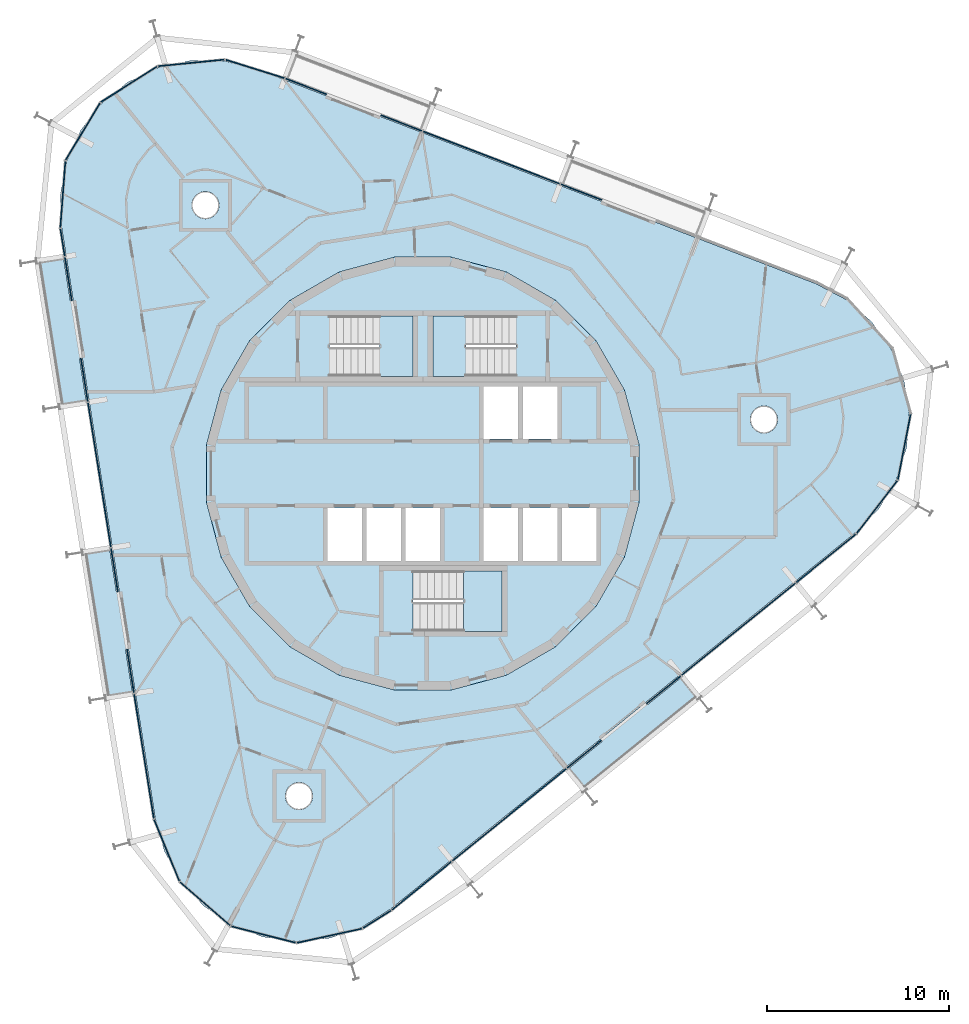
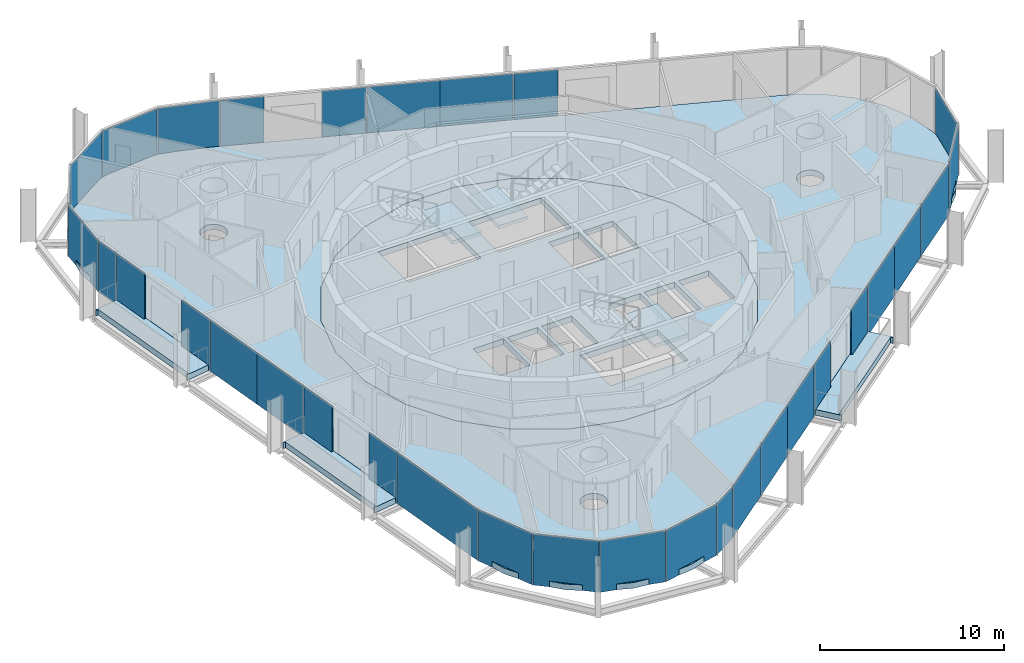
# One storey, part 10 of 18: 33 plates, 8 slabs, 9 elements without a shape of their own.
"""IFC4 building model written with IfcOpenShell, lengths in metres."""

from ifc_helpers import new_model, si_unit, direction, frame, origin, origin_2d, place, context, subcontext, project, spatial, polyline, rectangle, outline, extrude, material, layer, layer_set, type_object, element, aggregate, save


model = new_model("IFC4")

# Units and contexts
model_context = context("Model", 3, precision=1e-05, world=origin(), true_north=direction((0.0, 1.0)))
body_context = subcontext(model_context, "Body", "Model", "MODEL_VIEW")
ifc_project = project(units=[si_unit("LENGTHUNIT", "METRE"), si_unit("AREAUNIT", "SQUARE_METRE"), si_unit("VOLUMEUNIT", "CUBIC_METRE"), si_unit("PLANEANGLEUNIT", "RADIAN"), si_unit("MASSUNIT", "GRAM", prefix="KILO")], contexts=[model_context])

# Site, building, storey
site_placement = place(None, origin())
site = spatial("IfcSite", under=ifc_project, at=site_placement, CompositionType="ELEMENT")
building_placement = place(site_placement, origin())
building = spatial("IfcBuilding", under=site, at=building_placement, Name="Spindle Arch Residences", CompositionType="ELEMENT")
storey_placement = place(building_placement, frame((0.0, 0.0, 273.89990234375)))
storey = spatial("IfcBuildingStorey", under=building, at=storey_placement, Name="L70", CompositionType="ELEMENT", Elevation=273.89990234375)

# Slabs
ifc_material_1 = material(Name="Concrete C40/50", Category="concrete")
ifc_layer_1 = layer(ifc_material_1, 0.3798828125)
ifc_layer_set_1 = layer_set([ifc_layer_1], Name="Balcony slab 380")
slab_type_1 = type_object("IfcSlabType", Name="Balcony slab 380", PredefinedType="FLOOR", material=ifc_layer_set_1)
slab_1_placement = place(storey_placement, frame((0.0, 0.0, -0.3798828125)))
element("IfcSlab", 1, at=slab_1_placement, inside=storey, type_object=slab_type_1, Name="Balcony L70 bay 12", PredefinedType="FLOOR", context=body_context, shape_type="SweptSolid", body=[
    extrude(outline(polyline([(-21.224365234375, 11.611572265625), (-21.212646484375, 11.53759765625), (-21.064453125, 11.56103515625), (-19.843017578125, 3.849609375), (-19.9912109375, 3.826171875), (-19.9794921875, 3.751953125), (-18.5078125, 3.985107421875), (-18.8798828125, 6.334716796875), (-18.721923828125, 6.359619140625), (-19.22265625, 9.520263671875), (-19.380615234375, 9.4951171875), (-19.752685546875, 11.8447265625), (-21.224365234375, 11.611572265625)])), origin(), (0.0, 0.0, 1.0), 0.3798828125),
])
slab_2_placement = place(storey_placement, frame((0.0, 0.0, -0.3798828125)))
element("IfcSlab", 2, at=slab_2_placement, inside=storey, type_object=slab_type_1, Name="Balcony L70 bay 14", PredefinedType="FLOOR", context=body_context, shape_type="SweptSolid", body=[
    extrude(outline(polyline([(-18.687744140625, -4.40380859375), (-18.676025390625, -4.47802734375), (-18.52783203125, -4.45458984375), (-17.306396484375, -12.166015625), (-17.45458984375, -12.189453125), (-17.44287109375, -12.263427734375), (-15.97119140625, -12.030517578125), (-16.343505859375, -9.680908203125), (-16.185302734375, -9.656005859375), (-16.68603515625, -6.495361328125), (-16.843994140625, -6.520263671875), (-17.216064453125, -4.1708984375), (-18.687744140625, -4.40380859375)])), origin(), (0.0, 0.0, 1.0), 0.3798828125),
])
slab_3_placement = place(storey_placement, frame((0.0, 0.0, -0.3798828125)))
element("IfcSlab", 3, at=slab_3_placement, inside=storey, type_object=slab_type_1, Name="Balcony L70 bay 20", PredefinedType="FLOOR", context=body_context, shape_type="SweptSolid", body=[
    extrude(outline(polyline([(8.957275390625, -17.383544921875), (9.015625, -17.33642578125), (8.921142578125, -17.219970703125), (14.98876953125, -12.306396484375), (15.083251953125, -12.4228515625), (15.141357421875, -12.375732421875), (14.203857421875, -11.2177734375), (12.35498046875, -12.71484375), (12.25439453125, -12.590576171875), (9.767578125, -14.604248046875), (9.8681640625, -14.728759765625), (8.01953125, -16.2255859375), (8.957275390625, -17.383544921875)])), origin(), (0.0, 0.0, 1.0), 0.3798828125),
])
ifc_material_2 = material(Name="Concrete C50/60", Category="concrete")
ifc_layer_2 = layer(ifc_material_2, 0.3798828125)
ifc_layer_set_2 = layer_set([ifc_layer_2], Name="Core floor slab 380")
slab_type_2 = type_object("IfcSlabType", Name="Core floor slab 380", PredefinedType="FLOOR", material=ifc_layer_set_2)
slab_4_placement = place(storey_placement, frame((0.0, 0.0, -0.3798828125)))
element("IfcSlab", 4, at=slab_4_placement, inside=storey, type_object=slab_type_2, Name="Core floor L70", PredefinedType="FLOOR", context=body_context, shape_type="SweptSolid", body=[
    extrude(outline(polyline([(1.56640625, -11.897216796875), (4.59228515625, -11.086669921875), (7.30517578125, -9.520263671875), (9.520263671875, -7.30517578125), (11.086669921875, -4.59228515625), (11.897216796875, -1.56640625), (11.897216796875, 1.56640625), (11.086669921875, 4.59228515625), (9.520263671875, 7.30517578125), (7.30517578125, 9.520263671875), (4.59228515625, 11.086669921875), (1.56640625, 11.897216796875), (-1.56640625, 11.897216796875), (-4.59228515625, 11.086669921875), (-7.30517578125, 9.520263671875), (-9.520263671875, 7.30517578125), (-11.086669921875, 4.59228515625), (-11.897216796875, 1.56640625), (-11.897216796875, -1.56640625), (-11.086669921875, -4.59228515625), (-9.520263671875, -7.30517578125), (-7.30517578125, -9.520263671875), (-4.59228515625, -11.086669921875), (-1.56640625, -11.897216796875), (1.56640625, -11.897216796875)]), holes=[polyline([(3.35009765625, 1.89990234375), (5.25, 1.89990234375), (5.25, 4.800048828125), (3.35009765625, 4.800048828125), (3.35009765625, 1.89990234375)]), polyline([(5.5, 1.89990234375), (7.39990234375, 1.89990234375), (7.39990234375, 4.800048828125), (5.5, 4.800048828125), (5.5, 1.89990234375)]), polyline([(-5.25, -4.800048828125), (-3.35009765625, -4.800048828125), (-3.35009765625, -1.89990234375), (-5.25, -1.89990234375), (-5.25, -4.800048828125)]), polyline([(-3.10009765625, -4.800048828125), (-1.199951171875, -4.800048828125), (-1.199951171875, -1.89990234375), (-3.10009765625, -1.89990234375), (-3.10009765625, -4.800048828125)]), polyline([(-0.949951171875, -4.800048828125), (0.949951171875, -4.800048828125), (0.949951171875, -1.89990234375), (-0.949951171875, -1.89990234375), (-0.949951171875, -4.800048828125)]), polyline([(3.35009765625, -4.800048828125), (5.25, -4.800048828125), (5.25, -1.89990234375), (3.35009765625, -1.89990234375), (3.35009765625, -4.800048828125)]), polyline([(5.5, -4.800048828125), (7.39990234375, -4.800048828125), (7.39990234375, -1.89990234375), (5.5, -1.89990234375), (5.5, -4.800048828125)]), polyline([(7.64990234375, -4.800048828125), (9.550048828125, -4.800048828125), (9.550048828125, -1.89990234375), (7.64990234375, -1.89990234375), (7.64990234375, -4.800048828125)]), polyline([(5.1298828125, 8.669921875), (0.550048828125, 8.669921875), (0.550048828125, 5.35009765625), (5.1298828125, 5.35009765625), (5.1298828125, 8.669921875)]), polyline([(-5.1298828125, 5.35009765625), (-0.550048828125, 5.35009765625), (-0.550048828125, 8.669921875), (-5.1298828125, 8.669921875), (-5.1298828125, 5.35009765625)]), polyline([(-0.530029296875, -8.669921875), (4.35009765625, -8.669921875), (4.35009765625, -5.35009765625), (-0.530029296875, -5.35009765625), (-0.530029296875, -8.669921875)])]), origin(), (0.0, 0.0, 1.0), 0.3798828125),
])

# Stair, slab
ifc_material_3 = material(Name="Concrete C50/60", Category="concrete")
stair_type = type_object("IfcStairType", Name="Exit stair 16 risers", PredefinedType="HALF_TURN_STAIR", material=ifc_material_3)
stair_1_placement = place(storey_placement, origin())
stair_1 = element("IfcStair", 5, at=stair_1_placement, inside=storey, type_object=stair_type, Name="L70 Exit stair ST1", PredefinedType="HALF_TURN_STAIR")
ifc_material_4 = material(Name="Concrete C50/60", Category="concrete")
ifc_layer_3 = layer(ifc_material_4, 0.219970703125)
ifc_layer_set_3 = layer_set([ifc_layer_3], Name="Exit stair landing 220")
slab_type_3 = type_object("IfcSlabType", Name="Exit stair landing 220", PredefinedType="LANDING", material=ifc_layer_set_3)
slab_5_placement = place(storey_placement, frame((0.0, 0.0, 1.530029296875)))
slab_5 = element("IfcSlab", 6, at=slab_5_placement, type_object=slab_type_3, Name="ST1 landing 1", PredefinedType="LANDING", context=body_context, shape_type="SweptSolid", body=[
    extrude(outline(polyline([(2.3701171875, 8.669921875), (0.550048828125, 8.669921875), (0.550048828125, 5.35009765625), (2.3701171875, 5.35009765625), (2.3701171875, 8.669921875)])), origin(), (0.0, 0.0, 1.0), 0.219970703125),
])
aggregate(stair_1, [slab_5])

stair_2_placement = place(storey_placement, origin())
stair_2 = element("IfcStair", 7, at=stair_2_placement, inside=storey, type_object=stair_type, Name="L70 Exit stair ST2", PredefinedType="HALF_TURN_STAIR")
slab_6_placement = place(storey_placement, frame((0.0, 0.0, 1.530029296875)))
slab_6 = element("IfcSlab", 8, at=slab_6_placement, type_object=slab_type_3, Name="ST2 landing 1", PredefinedType="LANDING", context=body_context, shape_type="SweptSolid", body=[
    extrude(outline(polyline([(-2.3701171875, 5.35009765625), (-0.550048828125, 5.35009765625), (-0.550048828125, 8.669921875), (-2.3701171875, 8.669921875), (-2.3701171875, 5.35009765625)])), origin(), (0.0, 0.0, 1.0), 0.219970703125),
])
aggregate(stair_2, [slab_6])

stair_3_placement = place(storey_placement, origin())
stair_3 = element("IfcStair", 9, at=stair_3_placement, inside=storey, type_object=stair_type, Name="L70 Exit stair ST3", PredefinedType="HALF_TURN_STAIR")
slab_7_placement = place(storey_placement, frame((0.0, 0.0, 1.530029296875)))
slab_7 = element("IfcSlab", 10, at=slab_7_placement, type_object=slab_type_3, Name="ST3 landing 1", PredefinedType="LANDING", context=body_context, shape_type="SweptSolid", body=[
    extrude(outline(polyline([(2.22998046875, -8.669921875), (4.35009765625, -8.669921875), (4.35009765625, -5.35009765625), (2.22998046875, -5.35009765625), (2.22998046875, -8.669921875)])), origin(), (0.0, 0.0, 1.0), 0.219970703125),
])
aggregate(stair_3, [slab_7])

# Slab
ifc_material_5 = material(Name="Concrete C40/50", Category="concrete")
ifc_layer_4 = layer(ifc_material_5, 0.3798828125)
ifc_layer_set_4 = layer_set([ifc_layer_4], Name="Floor slab 380")
slab_type_4 = type_object("IfcSlabType", Name="Floor slab 380", PredefinedType="FLOOR", material=ifc_layer_set_4)
slab_8_placement = place(storey_placement, frame((0.0, 0.0, -0.3798828125)))
element("IfcSlab", 11, at=slab_8_placement, inside=storey, type_object=slab_type_4, Name="Floor slab L70", PredefinedType="FLOOR", context=body_context, shape_type="SweptSolid", body=[
    extrude(outline(polyline([(-3.341552734375, -24.9423828125), (-5.097900390625, -25.547119140625), (-6.9462890625, -25.73046875), (-8.787109375, -25.482666015625), (-10.521240234375, -24.81689453125), (-12.054931640625, -23.769287109375), (-13.305908203125, -22.396240234375), (-14.20654296875, -20.771484375), (-14.7080078125, -18.983154296875), (-19.854248046875, 13.509033203125), (-19.929931640625, 15.364990234375), (-19.575439453125, 17.188232421875), (-18.81005859375, 18.880859375), (-17.675048828125, 20.35107421875), (-16.231689453125, 21.52001953125), (-14.557373046875, 22.32470703125), (-12.74267578125, 22.721435546875), (-10.885498046875, 22.68896484375), (-9.0859375, 22.22900390625), (21.626220703125, 10.439697265625), (23.271484375, 9.577392578125), (24.67333984375, 8.358642578125), (25.75634765625, 6.849609375), (26.462158203125, 5.131591796875), (26.752685546875, 3.296875), (26.6123046875, 1.444580078125), (26.048583984375, -0.3251953125), (25.092041015625, -1.917236328125), (23.7939453125, -3.24609375), (11.010986328125, -13.597412109375), (-1.77197265625, -23.94873046875), (-3.341552734375, -24.9423828125)]), holes=[polyline([(7.30517578125, -9.520263671875), (9.520263671875, -7.30517578125), (11.086669921875, -4.59228515625), (11.897216796875, -1.56640625), (11.897216796875, 1.56640625), (11.086669921875, 4.59228515625), (9.520263671875, 7.30517578125), (7.30517578125, 9.520263671875), (4.59228515625, 11.086669921875), (1.56640625, 11.897216796875), (-1.56640625, 11.897216796875), (-4.59228515625, 11.086669921875), (-7.30517578125, 9.520263671875), (-9.520263671875, 7.30517578125), (-11.086669921875, 4.59228515625), (-11.897216796875, 1.56640625), (-11.897216796875, -1.56640625), (-11.086669921875, -4.59228515625), (-9.520263671875, -7.30517578125), (-7.30517578125, -9.520263671875), (-4.59228515625, -11.086669921875), (-1.56640625, -11.897216796875), (1.56640625, -11.897216796875), (4.59228515625, -11.086669921875), (7.30517578125, -9.520263671875)]), polyline([(-6.2763671875, -18.261962890625), (-6.18310546875, -18.1484375), (-6.11376953125, -18.018798828125), (-6.071044921875, -17.8779296875), (-6.056640625, -17.731689453125), (-6.071044921875, -17.58544921875), (-6.11376953125, -17.444580078125), (-6.18310546875, -17.31494140625), (-6.2763671875, -17.201416015625), (-6.389892578125, -17.108154296875), (-6.51953125, -17.038818359375), (-6.660400390625, -16.99609375), (-6.806640625, -16.981689453125), (-6.952880859375, -16.99609375), (-7.093505859375, -17.038818359375), (-7.223388671875, -17.108154296875), (-7.3369140625, -17.201416015625), (-7.43017578125, -17.31494140625), (-7.49951171875, -17.444580078125), (-7.542236328125, -17.58544921875), (-7.556640625, -17.731689453125), (-7.542236328125, -17.8779296875), (-7.49951171875, -18.018798828125), (-7.43017578125, -18.1484375), (-7.3369140625, -18.261962890625), (-7.223388671875, -18.355224609375), (-7.093505859375, -18.424560546875), (-6.952880859375, -18.46728515625), (-6.806640625, -18.481689453125), (-6.660400390625, -18.46728515625), (-6.51953125, -18.424560546875), (-6.389892578125, -18.355224609375), (-6.2763671875, -18.261962890625)]), polyline([(-11.3291015625, 14.34375), (-11.260009765625, 14.473388671875), (-11.21728515625, 14.6142578125), (-11.202880859375, 14.760498046875), (-11.21728515625, 14.90673828125), (-11.260009765625, 15.047607421875), (-11.3291015625, 15.17724609375), (-11.422607421875, 15.290771484375), (-11.5361328125, 15.384033203125), (-11.665771484375, 15.453369140625), (-11.806396484375, 15.49609375), (-11.952880859375, 15.510498046875), (-12.09912109375, 15.49609375), (-12.23974609375, 15.453369140625), (-12.369384765625, 15.384033203125), (-12.483154296875, 15.290771484375), (-12.576416015625, 15.17724609375), (-12.645751953125, 15.047607421875), (-12.6884765625, 14.90673828125), (-12.702880859375, 14.760498046875), (-12.6884765625, 14.6142578125), (-12.645751953125, 14.473388671875), (-12.576416015625, 14.34375), (-12.483154296875, 14.230224609375), (-12.369384765625, 14.136962890625), (-12.23974609375, 14.067626953125), (-12.09912109375, 14.02490234375), (-11.952880859375, 14.010498046875), (-11.806396484375, 14.02490234375), (-11.665771484375, 14.067626953125), (-11.5361328125, 14.136962890625), (-11.422607421875, 14.230224609375), (-11.3291015625, 14.34375)]), polyline([(19.383056640625, 2.554443359375), (19.452392578125, 2.68408203125), (19.4951171875, 2.824951171875), (19.509521484375, 2.97119140625), (19.4951171875, 3.117431640625), (19.452392578125, 3.25830078125), (19.383056640625, 3.387939453125), (19.289794921875, 3.50146484375), (19.176025390625, 3.5947265625), (19.04638671875, 3.6640625), (18.90576171875, 3.706787109375), (18.759521484375, 3.72119140625), (18.613037109375, 3.706787109375), (18.472412109375, 3.6640625), (18.3427734375, 3.5947265625), (18.22900390625, 3.50146484375), (18.1357421875, 3.387939453125), (18.06640625, 3.25830078125), (18.023681640625, 3.117431640625), (18.009521484375, 2.97119140625), (18.023681640625, 2.824951171875), (18.06640625, 2.68408203125), (18.1357421875, 2.554443359375), (18.22900390625, 2.44091796875), (18.3427734375, 2.34765625), (18.472412109375, 2.2783203125), (18.613037109375, 2.235595703125), (18.759521484375, 2.22119140625), (18.90576171875, 2.235595703125), (19.04638671875, 2.2783203125), (19.176025390625, 2.34765625), (19.289794921875, 2.44091796875), (19.383056640625, 2.554443359375)])]), origin(), (0.0, 0.0, 1.0), 0.3798828125),
])

# Curtain wall, plates
ifc_material_6 = material(Name="Aluminium bronze unitised frame with tinted glass", Category="aluminium")
ifc_layer_5 = layer(ifc_material_6, 0.159912109375)
ifc_layer_set_5 = layer_set([ifc_layer_5], Name="CW-D corner wall on the fillet arcs")
curtain_wall_type_1 = type_object("IfcCurtainWallType", Name="CW-D corner wall on the fillet arcs", PredefinedType="NOTDEFINED", material=ifc_layer_set_5)
curtain_wall_1_placement = place(storey_placement, origin())
curtain_wall_1 = element("IfcCurtainWall", 12, at=curtain_wall_1_placement, inside=storey, type_object=curtain_wall_type_1, Name="CW-D L70 run 1", PredefinedType="NOTDEFINED")
ifc_material_7 = material(Name="Tinted double glazing over aluminium faced non-combustible spandrel zone (K0)", Category="aluminium")
ifc_layer_6 = layer(ifc_material_7, 0.06005859375)
ifc_layer_set_6 = layer_set([ifc_layer_6], Name="Unitised glass panel with E 60 spandrel zone")
plate_type = type_object("IfcPlateType", Name="Unitised glass panel with E 60 spandrel zone", PredefinedType="CURTAIN_PANEL", material=ifc_layer_set_6)
plate_1_placement = place(storey_placement, frame((22.178466796875, -4.6572265625, -0.3798828125), z_axis=(0.0, 0.0, 1.0), x_axis=(0.777145961457, 0.62932039105, 0.0)))
plate_1 = element("IfcPlate", 13, at=plate_1_placement, type_object=plate_type, Name="CW-D unit 00", PredefinedType="CURTAIN_PANEL", context=body_context, shape_type="SweptSolid", body=[
    extrude(rectangle(XDim=4.227294921875, YDim=0.06005859375, at=origin_2d()), origin(), (0.0, 0.0, 1.0), 3.3798828125),
])
plate_2_placement = place(storey_placement, frame((24.98291015625, -1.833251953125, -0.3798828125), z_axis=(0.0, 0.0, 1.0), x_axis=(0.611066622764, 0.791579170105, 0.0)))
plate_2 = element("IfcPlate", 14, at=plate_2_placement, type_object=plate_type, Name="CW-D unit 01", PredefinedType="CURTAIN_PANEL", context=body_context, shape_type="SweptSolid", body=[
    extrude(rectangle(XDim=3.666748046875, YDim=0.06005859375, at=origin_2d()), origin(), (0.0, 0.0, 1.0), 3.3798828125),
])
plate_3_placement = place(storey_placement, frame((26.47705078125, 1.470947265625, -0.3798828125), z_axis=(0.0, 0.0, 1.0), x_axis=(0.190808994811, 0.981627183558, 0.0)))
plate_3 = element("IfcPlate", 15, at=plate_3_placement, type_object=plate_type, Name="CW-D unit 02", PredefinedType="CURTAIN_PANEL", context=body_context, shape_type="SweptSolid", body=[
    extrude(rectangle(XDim=3.666748046875, YDim=0.06005859375, at=origin_2d()), origin(), (0.0, 0.0, 1.0), 3.3798828125),
])
aggregate(curtain_wall_1, [plate_1, plate_2, plate_3])

ifc_material_8 = material(Name="Aluminium bronze unitised frame with tinted glass", Category="aluminium")
ifc_layer_7 = layer(ifc_material_8, 0.159912109375)
ifc_layer_set_7 = layer_set([ifc_layer_7], Name="CW-C typical residential unitised wall")
curtain_wall_type_2 = type_object("IfcCurtainWallType", Name="CW-C typical residential unitised wall", PredefinedType="NOTDEFINED", material=ifc_layer_set_7)
curtain_wall_2_placement = place(storey_placement, origin())
curtain_wall_2 = element("IfcCurtainWall", 16, at=curtain_wall_2_placement, inside=storey, type_object=curtain_wall_type_2, Name="CW-C L70 run 2", PredefinedType="NOTDEFINED")
plate_4_placement = place(storey_placement, frame((8.7197265625, 15.47998046875, -0.3798828125), z_axis=(0.0, 0.0, 1.0), x_axis=(-0.933580426497, 0.358367949545, 0.0)))
plate_4 = element("IfcPlate", 17, at=plate_4_placement, type_object=plate_type, Name="CW-C unit 05R", PredefinedType="CURTAIN_PANEL", context=body_context, shape_type="SweptSolid", body=[
    extrude(rectangle(XDim=2.423828125, YDim=0.06005859375, at=origin_2d()), origin(), (0.0, 0.0, 1.0), 3.3798828125),
])
plate_5_placement = place(storey_placement, frame((5.654052734375, 16.65673828125, -0.3798828125), z_axis=(0.0, 0.0, 1.0), x_axis=(-0.933580426497, 0.358367949545, 0.0)))
plate_5 = element("IfcPlate", 18, at=plate_5_placement, type_object=plate_type, Name="CW-C unit 06A", PredefinedType="CURTAIN_PANEL", context=body_context, shape_type="SweptSolid", body=[
    extrude(rectangle(XDim=4.023681640625, YDim=0.06005859375, at=origin_2d()), origin(), (0.0, 0.0, 1.0), 3.3798828125),
])
plate_6_placement = place(storey_placement, frame((1.897705078125, 18.0986328125, -0.3798828125), z_axis=(0.0, 0.0, 1.0), x_axis=(-0.933580426497, 0.358367949545, 0.0)))
plate_6 = element("IfcPlate", 19, at=plate_6_placement, type_object=plate_type, Name="CW-C unit 06B", PredefinedType="CURTAIN_PANEL", context=body_context, shape_type="SweptSolid", body=[
    extrude(rectangle(XDim=4.023681640625, YDim=0.06005859375, at=origin_2d()), origin(), (0.0, 0.0, 1.0), 3.3798828125),
])
plate_7_placement = place(storey_placement, frame((-1.16796875, 19.275390625, -0.3798828125), z_axis=(0.0, 0.0, 1.0), x_axis=(-0.933580426497, 0.358367949545, 0.0)))
plate_7 = element("IfcPlate", 20, at=plate_7_placement, type_object=plate_type, Name="CW-C unit 07L", PredefinedType="CURTAIN_PANEL", context=body_context, shape_type="SweptSolid", body=[
    extrude(rectangle(XDim=2.423828125, YDim=0.06005859375, at=origin_2d()), origin(), (0.0, 0.0, 1.0), 3.3798828125),
])
plate_8_placement = place(storey_placement, frame((-6.41845703125, 21.290771484375, -0.3798828125), z_axis=(0.0, 0.0, 1.0), x_axis=(-0.933580426497, 0.358367949545, 0.0)))
plate_8 = element("IfcPlate", 21, at=plate_8_placement, type_object=plate_type, Name="CW-C unit 07R", PredefinedType="CURTAIN_PANEL", context=body_context, shape_type="SweptSolid", body=[
    extrude(rectangle(XDim=2.423828125, YDim=0.06005859375, at=origin_2d()), origin(), (0.0, 0.0, 1.0), 3.3798828125),
])
aggregate(curtain_wall_2, [plate_4, plate_5, plate_6, plate_7, plate_8])

curtain_wall_3_placement = place(storey_placement, origin())
curtain_wall_3 = element("IfcCurtainWall", 22, at=curtain_wall_3_placement, inside=storey, type_object=curtain_wall_type_1, Name="CW-D L70 run 3", PredefinedType="NOTDEFINED")
plate_9_placement = place(storey_placement, frame((-9.226318359375, 22.252197265625, -0.3798828125), z_axis=(0.0, 0.0, 1.0), x_axis=(-0.954314920262, 0.298802665594, 0.0)))
plate_9 = element("IfcPlate", 23, at=plate_9_placement, type_object=plate_type, Name="CW-D unit 00", PredefinedType="CURTAIN_PANEL", context=body_context, shape_type="SweptSolid", body=[
    extrude(rectangle(XDim=3.39501953125, YDim=0.06005859375, at=origin_2d()), origin(), (0.0, 0.0, 1.0), 3.3798828125),
])
plate_10_placement = place(storey_placement, frame((-12.729248046875, 22.584228515625, -0.3798828125), z_axis=(0.0, 0.0, 1.0), x_axis=(-0.995113183485, -0.098740832762, 0.0)))
plate_10 = element("IfcPlate", 24, at=plate_10_placement, type_object=plate_type, Name="CW-D unit 01", PredefinedType="CURTAIN_PANEL", context=body_context, shape_type="SweptSolid", body=[
    extrude(rectangle(XDim=3.666748046875, YDim=0.06005859375, at=origin_2d()), origin(), (0.0, 0.0, 1.0), 3.3798828125),
])
plate_11_placement = place(storey_placement, frame((-16.157958984375, 21.403564453125, -0.3798828125), z_axis=(0.0, 0.0, 1.0), x_axis=(-0.844950814707, -0.534844015322, 0.0)))
plate_11 = element("IfcPlate", 25, at=plate_11_placement, type_object=plate_type, Name="CW-D unit 02", PredefinedType="CURTAIN_PANEL", context=body_context, shape_type="SweptSolid", body=[
    extrude(rectangle(XDim=3.666748046875, YDim=0.06005859375, at=origin_2d()), origin(), (0.0, 0.0, 1.0), 3.3798828125),
])
plate_12_placement = place(storey_placement, frame((-18.692138671875, 18.809814453125, -0.3798828125), z_axis=(0.0, 0.0, 1.0), x_axis=(-0.515038072875, -0.857167301925, 0.0)))
plate_12 = element("IfcPlate", 26, at=plate_12_placement, type_object=plate_type, Name="CW-D unit 03", PredefinedType="CURTAIN_PANEL", context=body_context, shape_type="SweptSolid", body=[
    extrude(rectangle(XDim=3.666748046875, YDim=0.06005859375, at=origin_2d()), origin(), (0.0, 0.0, 1.0), 3.3798828125),
])
plate_13_placement = place(storey_placement, frame((-19.79248046875, 15.3544921875, -0.3798828125), z_axis=(0.0, 0.0, 1.0), x_axis=(-0.07555884997, -0.997141344139, 0.0)))
plate_13 = element("IfcPlate", 27, at=plate_13_placement, type_object=plate_type, Name="CW-D unit 04", PredefinedType="CURTAIN_PANEL", context=body_context, shape_type="SweptSolid", body=[
    extrude(rectangle(XDim=3.666748046875, YDim=0.06005859375, at=origin_2d()), origin(), (0.0, 0.0, 1.0), 3.3798828125),
])
plate_14_placement = place(storey_placement, frame((-19.809326171875, 12.7138671875, -0.3798828125), z_axis=(0.0, 0.0, 1.0), x_axis=(0.15643446504, -0.987688340595, 0.0)))
plate_14 = element("IfcPlate", 28, at=plate_14_placement, type_object=plate_type, Name="CW-D unit 05", PredefinedType="CURTAIN_PANEL", context=body_context, shape_type="SweptSolid", body=[
    extrude(rectangle(XDim=1.524658203125, YDim=0.06005859375, at=origin_2d()), origin(), (0.0, 0.0, 1.0), 3.3798828125),
])
aggregate(curtain_wall_3, [plate_9, plate_10, plate_11, plate_12, plate_13, plate_14])

curtain_wall_4_placement = place(storey_placement, origin())
curtain_wall_4 = element("IfcCurtainWall", 29, at=curtain_wall_4_placement, inside=storey, type_object=curtain_wall_type_2, Name="CW-C L70 run 4", PredefinedType="NOTDEFINED")
plate_15_placement = place(storey_placement, frame((-19.4912109375, 10.704833984375, -0.3798828125), z_axis=(0.0, 0.0, 1.0), x_axis=(0.15643446504, -0.987688340595, 0.0)))
plate_15 = element("IfcPlate", 30, at=plate_15_placement, type_object=plate_type, Name="CW-C unit 11L", PredefinedType="CURTAIN_PANEL", context=body_context, shape_type="SweptSolid", body=[
    extrude(rectangle(XDim=2.423828125, YDim=0.06005859375, at=origin_2d()), origin(), (0.0, 0.0, 1.0), 3.3798828125),
])
plate_16_placement = place(storey_placement, frame((-18.611328125, 5.150146484375, -0.3798828125), z_axis=(0.0, 0.0, 1.0), x_axis=(0.15643446504, -0.987688340595, 0.0)))
plate_16 = element("IfcPlate", 31, at=plate_16_placement, type_object=plate_type, Name="CW-C unit 11R", PredefinedType="CURTAIN_PANEL", context=body_context, shape_type="SweptSolid", body=[
    extrude(rectangle(XDim=2.423828125, YDim=0.06005859375, at=origin_2d()), origin(), (0.0, 0.0, 1.0), 3.3798828125),
])
plate_17_placement = place(storey_placement, frame((-18.09765625, 1.90673828125, -0.3798828125), z_axis=(0.0, 0.0, 1.0), x_axis=(0.15643446504, -0.987688340595, 0.0)))
plate_17 = element("IfcPlate", 32, at=plate_17_placement, type_object=plate_type, Name="CW-C unit 12A", PredefinedType="CURTAIN_PANEL", context=body_context, shape_type="SweptSolid", body=[
    extrude(rectangle(XDim=4.023681640625, YDim=0.06005859375, at=origin_2d()), origin(), (0.0, 0.0, 1.0), 3.3798828125),
])
plate_18_placement = place(storey_placement, frame((-17.46826171875, -2.0673828125, -0.3798828125), z_axis=(0.0, 0.0, 1.0), x_axis=(0.15643446504, -0.987688340595, 0.0)))
plate_18 = element("IfcPlate", 33, at=plate_18_placement, type_object=plate_type, Name="CW-C unit 12B", PredefinedType="CURTAIN_PANEL", context=body_context, shape_type="SweptSolid", body=[
    extrude(rectangle(XDim=4.023681640625, YDim=0.06005859375, at=origin_2d()), origin(), (0.0, 0.0, 1.0), 3.3798828125),
])
plate_19_placement = place(storey_placement, frame((-16.95458984375, -5.310791015625, -0.3798828125), z_axis=(0.0, 0.0, 1.0), x_axis=(0.15643446504, -0.987688340595, 0.0)))
plate_19 = element("IfcPlate", 34, at=plate_19_placement, type_object=plate_type, Name="CW-C unit 13L", PredefinedType="CURTAIN_PANEL", context=body_context, shape_type="SweptSolid", body=[
    extrude(rectangle(XDim=2.423828125, YDim=0.06005859375, at=origin_2d()), origin(), (0.0, 0.0, 1.0), 3.3798828125),
])
plate_20_placement = place(storey_placement, frame((-16.07470703125, -10.865478515625, -0.3798828125), z_axis=(0.0, 0.0, 1.0), x_axis=(0.15643446504, -0.987688340595, 0.0)))
plate_20 = element("IfcPlate", 35, at=plate_20_placement, type_object=plate_type, Name="CW-C unit 13R", PredefinedType="CURTAIN_PANEL", context=body_context, shape_type="SweptSolid", body=[
    extrude(rectangle(XDim=2.423828125, YDim=0.06005859375, at=origin_2d()), origin(), (0.0, 0.0, 1.0), 3.3798828125),
])
aggregate(curtain_wall_4, [plate_15, plate_16, plate_17, plate_18, plate_19, plate_20])

curtain_wall_5_placement = place(storey_placement, origin())
curtain_wall_5 = element("IfcCurtainWall", 36, at=curtain_wall_5_placement, inside=storey, type_object=curtain_wall_type_1, Name="CW-D L70 run 5", PredefinedType="NOTDEFINED")
plate_21_placement = place(storey_placement, frame((-15.333740234375, -15.5439453125, -0.3798828125), z_axis=(0.0, 0.0, 1.0), x_axis=(0.15643446504, -0.987688340595, 0.0)))
plate_21 = element("IfcPlate", 37, at=plate_21_placement, type_object=plate_type, Name="CW-D unit 00", PredefinedType="CURTAIN_PANEL", context=body_context, shape_type="SweptSolid", body=[
    extrude(rectangle(XDim=6.9296875, YDim=0.06005859375, at=origin_2d()), origin(), (0.0, 0.0, 1.0), 3.3798828125),
])
plate_22_placement = place(storey_placement, frame((-14.0791015625, -20.71923828125, -0.3798828125), z_axis=(0.0, 0.0, 1.0), x_axis=(0.379994360085, -0.92498880334, 0.0)))
plate_22 = element("IfcPlate", 38, at=plate_22_placement, type_object=plate_type, Name="CW-D unit 01", PredefinedType="CURTAIN_PANEL", context=body_context, shape_type="SweptSolid", body=[
    extrude(rectangle(XDim=3.666748046875, YDim=0.06005859375, at=origin_2d()), origin(), (0.0, 0.0, 1.0), 3.3798828125),
])
plate_23_placement = place(storey_placement, frame((-11.964599609375, -23.665283203125, -0.3798828125), z_axis=(0.0, 0.0, 1.0), x_axis=(0.754709583074, -0.656059025711, 0.0)))
plate_23 = element("IfcPlate", 39, at=plate_23_placement, type_object=plate_type, Name="CW-D unit 02", PredefinedType="CURTAIN_PANEL", context=body_context, shape_type="SweptSolid", body=[
    extrude(rectangle(XDim=3.666748046875, YDim=0.06005859375, at=origin_2d()), origin(), (0.0, 0.0, 1.0), 3.3798828125),
])
plate_24_placement = place(storey_placement, frame((-8.7529296875, -25.34912109375, -0.3798828125), z_axis=(0.0, 0.0, 1.0), x_axis=(0.968871869392, -0.247562720743, 0.0)))
plate_24 = element("IfcPlate", 40, at=plate_24_placement, type_object=plate_type, Name="CW-D unit 03", PredefinedType="CURTAIN_PANEL", context=body_context, shape_type="SweptSolid", body=[
    extrude(rectangle(XDim=3.666748046875, YDim=0.06005859375, at=origin_2d()), origin(), (0.0, 0.0, 1.0), 3.3798828125),
])
plate_25_placement = place(storey_placement, frame((-5.127197265625, -25.412353515625, -0.3798828125), z_axis=(0.0, 0.0, 1.0), x_axis=(0.976921473489, 0.213598770213, 0.0)))
plate_25 = element("IfcPlate", 41, at=plate_25_placement, type_object=plate_type, Name="CW-D unit 04", PredefinedType="CURTAIN_PANEL", context=body_context, shape_type="SweptSolid", body=[
    extrude(rectangle(XDim=3.666748046875, YDim=0.06005859375, at=origin_2d()), origin(), (0.0, 0.0, 1.0), 3.3798828125),
])
plate_26_placement = place(storey_placement, frame((-2.51416015625, -24.5126953125, -0.3798828125), z_axis=(0.0, 0.0, 1.0), x_axis=(0.844950816658, 0.53484401224, 0.0)))
plate_26 = element("IfcPlate", 42, at=plate_26_placement, type_object=plate_type, Name="CW-D unit 05", PredefinedType="CURTAIN_PANEL", context=body_context, shape_type="SweptSolid", body=[
    extrude(rectangle(XDim=1.816162109375, YDim=0.06005859375, at=origin_2d()), origin(), (0.0, 0.0, 1.0), 3.3798828125),
])
plate_27_placement = place(storey_placement, frame((-0.0556640625, -22.662109375, -0.3798828125), z_axis=(0.0, 0.0, 1.0), x_axis=(0.777145961457, 0.62932039105, 0.0)))
plate_27 = element("IfcPlate", 43, at=plate_27_placement, type_object=plate_type, Name="CW-D unit 06", PredefinedType="CURTAIN_PANEL", context=body_context, shape_type="SweptSolid", body=[
    extrude(rectangle(XDim=4.227294921875, YDim=0.06005859375, at=origin_2d()), origin(), (0.0, 0.0, 1.0), 3.3798828125),
])
aggregate(curtain_wall_5, [plate_21, plate_22, plate_23, plate_24, plate_25, plate_26, plate_27])

curtain_wall_6_placement = place(storey_placement, origin())
curtain_wall_6 = element("IfcCurtainWall", 44, at=curtain_wall_6_placement, inside=storey, type_object=curtain_wall_type_2, Name="CW-C L70 run 6", PredefinedType="NOTDEFINED")
plate_28_placement = place(storey_placement, frame((3.197021484375, -20.028076171875, -0.3798828125), z_axis=(0.0, 0.0, 1.0), x_axis=(0.777145961457, 0.62932039105, 0.0)))
plate_28 = element("IfcPlate", 45, at=plate_28_placement, type_object=plate_type, Name="CW-C unit 18A", PredefinedType="CURTAIN_PANEL", context=body_context, shape_type="SweptSolid", body=[
    extrude(rectangle(XDim=4.023681640625, YDim=0.06005859375, at=origin_2d()), origin(), (0.0, 0.0, 1.0), 3.3798828125),
])
plate_29_placement = place(storey_placement, frame((6.323974609375, -17.49560546875, -0.3798828125), z_axis=(0.0, 0.0, 1.0), x_axis=(0.777145961457, 0.62932039105, 0.0)))
plate_29 = element("IfcPlate", 46, at=plate_29_placement, type_object=plate_type, Name="CW-C unit 18B", PredefinedType="CURTAIN_PANEL", context=body_context, shape_type="SweptSolid", body=[
    extrude(rectangle(XDim=4.023681640625, YDim=0.06005859375, at=origin_2d()), origin(), (0.0, 0.0, 1.0), 3.3798828125),
])
plate_30_placement = place(storey_placement, frame((8.8759765625, -15.42919921875, -0.3798828125), z_axis=(0.0, 0.0, 1.0), x_axis=(0.777145961457, 0.62932039105, 0.0)))
plate_30 = element("IfcPlate", 47, at=plate_30_placement, type_object=plate_type, Name="CW-C unit 19L", PredefinedType="CURTAIN_PANEL", context=body_context, shape_type="SweptSolid", body=[
    extrude(rectangle(XDim=2.423828125, YDim=0.06005859375, at=origin_2d()), origin(), (0.0, 0.0, 1.0), 3.3798828125),
])
plate_31_placement = place(storey_placement, frame((13.24658203125, -11.889892578125, -0.3798828125), z_axis=(0.0, 0.0, 1.0), x_axis=(0.777145961457, 0.62932039105, 0.0)))
plate_31 = element("IfcPlate", 48, at=plate_31_placement, type_object=plate_type, Name="CW-C unit 19R", PredefinedType="CURTAIN_PANEL", context=body_context, shape_type="SweptSolid", body=[
    extrude(rectangle(XDim=2.423828125, YDim=0.06005859375, at=origin_2d()), origin(), (0.0, 0.0, 1.0), 3.3798828125),
])
plate_32_placement = place(storey_placement, frame((15.798583984375, -9.823486328125, -0.3798828125), z_axis=(0.0, 0.0, 1.0), x_axis=(0.777145961457, 0.62932039105, 0.0)))
plate_32 = element("IfcPlate", 49, at=plate_32_placement, type_object=plate_type, Name="CW-C unit 00A", PredefinedType="CURTAIN_PANEL", context=body_context, shape_type="SweptSolid", body=[
    extrude(rectangle(XDim=4.023681640625, YDim=0.06005859375, at=origin_2d()), origin(), (0.0, 0.0, 1.0), 3.3798828125),
])
plate_33_placement = place(storey_placement, frame((18.925537109375, -7.291259765625, -0.3798828125), z_axis=(0.0, 0.0, 1.0), x_axis=(0.777145961457, 0.62932039105, 0.0)))
plate_33 = element("IfcPlate", 50, at=plate_33_placement, type_object=plate_type, Name="CW-C unit 00B", PredefinedType="CURTAIN_PANEL", context=body_context, shape_type="SweptSolid", body=[
    extrude(rectangle(XDim=4.023681640625, YDim=0.06005859375, at=origin_2d()), origin(), (0.0, 0.0, 1.0), 3.3798828125),
])
aggregate(curtain_wall_6, [plate_28, plate_29, plate_30, plate_31, plate_32, plate_33])

save(model, "model.ifc")
